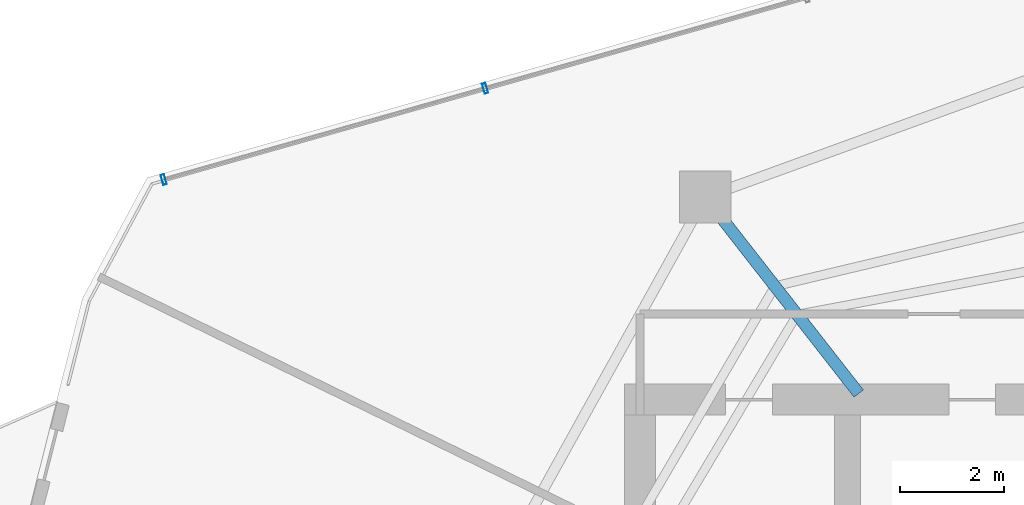
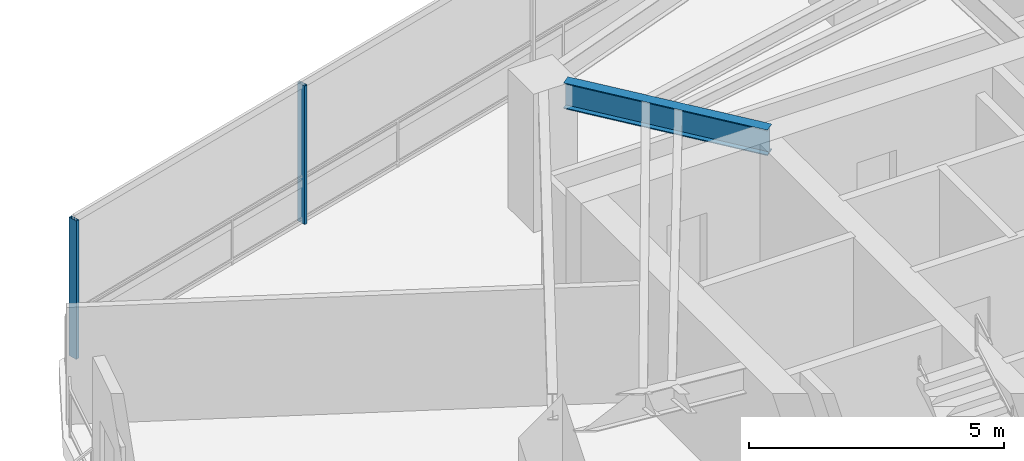
# One storey, part 9 of 19: 2 members, 1 beam, 1 element without a shape of its own.
"""IFC4 building model written with IfcOpenShell, lengths in metres."""

from ifc_helpers import new_model, si_unit, direction, frame, origin, origin_2d, place, context, subcontext, project, spatial, hollow_rectangle, i_section, extrude, material, layer, layer_set, material_profile, profile_set, type_object, element, aggregate, save


model = new_model("IFC4")

# Units and contexts
model_context = context("Model", 3, precision=1e-05, world=origin(), true_north=direction((0.0, 1.0)))
body_context = subcontext(model_context, "Body", "Model", "MODEL_VIEW")
ifc_project = project(units=[si_unit("LENGTHUNIT", "METRE"), si_unit("AREAUNIT", "SQUARE_METRE"), si_unit("VOLUMEUNIT", "CUBIC_METRE"), si_unit("PLANEANGLEUNIT", "RADIAN"), si_unit("MASSUNIT", "GRAM", prefix="KILO")], contexts=[model_context])

# Site, building, storey
site_placement = place(None, origin())
site = spatial("IfcSite", under=ifc_project, at=site_placement, CompositionType="ELEMENT")
building_placement = place(site_placement, origin())
building = spatial("IfcBuilding", under=site, at=building_placement, Name="Qarnah Convention Tower", CompositionType="ELEMENT")
storey_placement = place(building_placement, frame((0.0, 0.0, 125.699951171875)))
storey = spatial("IfcBuildingStorey", under=building, at=storey_placement, Name="L33", CompositionType="ELEMENT", Elevation=125.699951171875)

# Beam
ifc_material_1 = material(Name="Structural steel S355JR", Category="steel")
ifc_material_profile_1 = material_profile(ifc_material_1, i_section(OverallWidth=0.22998046875, OverallDepth=0.617919921875, WebThickness=0.012939453125, FlangeThickness=0.02197265625, at=origin_2d()), Name="W610X140")
ifc_profile_set_1 = profile_set([ifc_material_profile_1], Name="Structural steel S355JR")
beam_type = type_object("IfcBeamType", Name="BM-RAD-W610A", PredefinedType="BEAM", material=ifc_profile_set_1)
beam_placement = place(storey_placement, frame((31.013916015625, 34.318115234375, 3.010986328125), z_axis=(-0.615636368947, 0.788030368215, 0.0), x_axis=(-0.788030368215, -0.615636368947, 0.0)))
element("IfcBeam", 1, at=beam_placement, inside=storey, type_object=beam_type, Name="L33 beam BM-L33-RAD-04", PredefinedType="BEAM", context=body_context, shape_type="SweptSolid", body=[
    extrude(i_section(OverallWidth=0.22998046875, OverallDepth=0.617919921875, WebThickness=0.012939453125, FlangeThickness=0.02197265625, at=origin_2d()), origin(), (0.0, 0.0, 1.0), 4.322265625),
])

# Curtain wall, members
ifc_material_2 = material(Name="Tempered Low-E dark glass", Category="glass")
ifc_layer = layer(ifc_material_2, 0.172119140625)
ifc_layer_set = layer_set([ifc_layer], Name="Tempered Low-E dark glass")
curtain_wall_type = type_object("IfcCurtainWallType", Name="CWS-03", PredefinedType="NOTDEFINED", material=ifc_layer_set)
curtain_wall_placement = place(storey_placement, origin())
curtain_wall = element("IfcCurtainWall", 2, at=curtain_wall_placement, inside=storey, type_object=curtain_wall_type, Name="L33 unitised curtain wall CW-L33-F4", PredefinedType="NOTDEFINED")
ifc_material_3 = material(Name="Black anodised aluminium", Category="aluminium")
ifc_material_profile_2 = material_profile(ifc_material_3, hollow_rectangle(XDim=0.070068359375, YDim=0.199951171875, WallThickness=0.0048828125, at=origin_2d()), Name="MUL-70X200")
ifc_profile_set_2 = profile_set([ifc_material_profile_2], Name="Black anodised aluminium")
member_type = type_object("IfcMemberType", Name="MUL-T3", PredefinedType="MULLION", material=ifc_profile_set_2)
member_1_placement = place(storey_placement, frame((17.618896484375, 38.44189453125, 0.0), z_axis=(0.0, 0.0, 1.0), x_axis=(0.962024008053, 0.272964847426, 0.0)))
member_1 = element("IfcMember", 3, at=member_1_placement, type_object=member_type, Name="CW-L33-F4 mullion 1", PredefinedType="MULLION", context=body_context, shape_type="SweptSolid", body=[
    extrude(hollow_rectangle(XDim=0.070068359375, YDim=0.199951171875, WallThickness=0.0048828125, at=origin_2d()), origin(), (0.0, 0.0, 1.0), 3.320068359375),
])
member_2_placement = place(storey_placement, frame((23.8134765625, 40.19970703125, 0.0), z_axis=(0.0, 0.0, 1.0), x_axis=(0.962024008053, 0.272964847426, 0.0)))
member_2 = element("IfcMember", 4, at=member_2_placement, type_object=member_type, Name="CW-L33-F4 mullion 2", PredefinedType="MULLION", context=body_context, shape_type="SweptSolid", body=[
    extrude(hollow_rectangle(XDim=0.070068359375, YDim=0.199951171875, WallThickness=0.0048828125, at=origin_2d()), origin(), (0.0, 0.0, 1.0), 3.320068359375),
])
aggregate(curtain_wall, [member_1, member_2])

save(model, "model.ifc")
